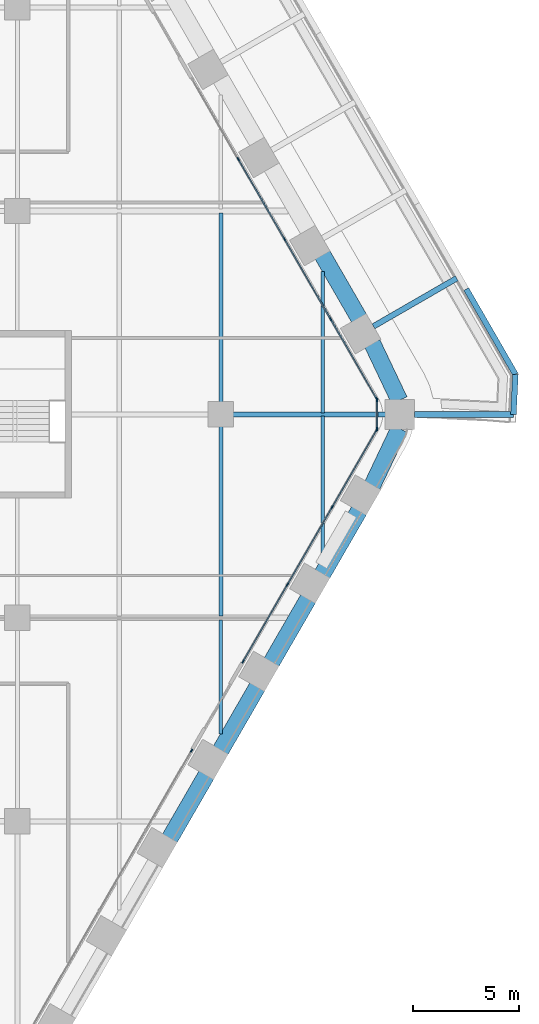
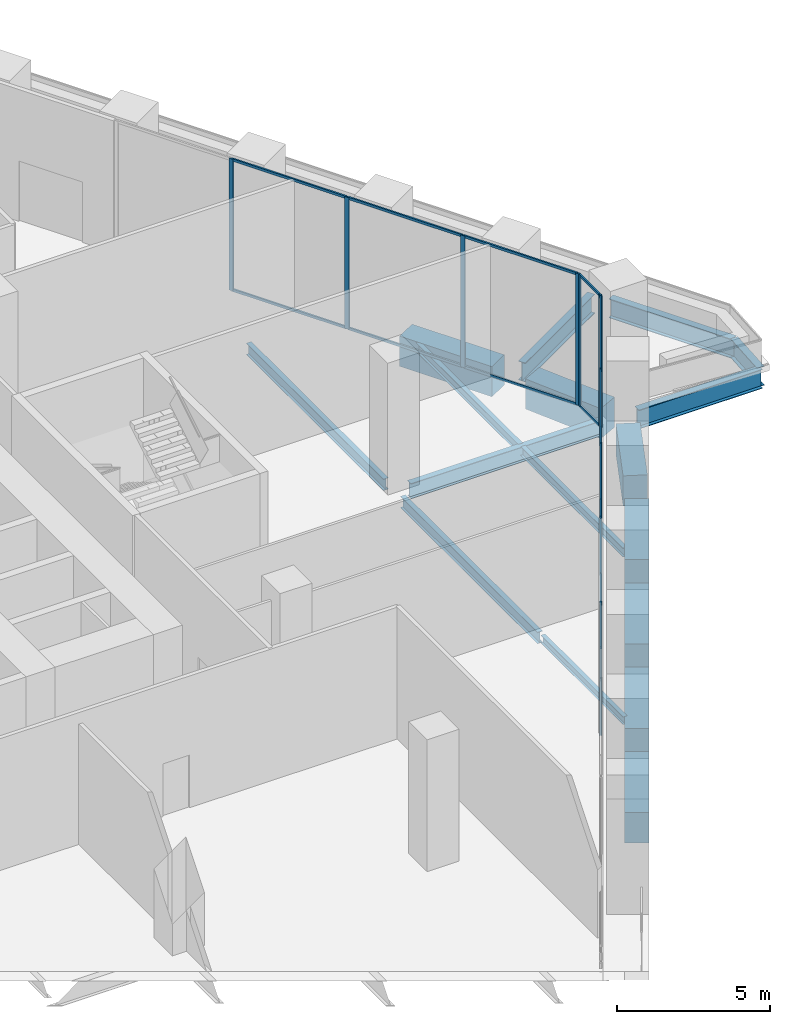
# One storey, part 12 of 30: 25 members, 17 beams, 4 elements without a shape of their own.
"""IFC4 building model written with IfcOpenShell, lengths in metres."""

from ifc_helpers import new_model, si_unit, direction, frame, origin, origin_2d, place, context, subcontext, project, spatial, rectangle, i_section, extrude, material, material_profile, profile_set, type_object, element, aggregate, save


model = new_model("IFC4")

# Units and contexts
model_context = context("Model", 3, precision=1e-05, world=origin(), true_north=direction((0.0, 1.0)))
body_context = subcontext(model_context, "Body", "Model", "MODEL_VIEW")
ifc_project = project(units=[si_unit("LENGTHUNIT", "METRE"), si_unit("AREAUNIT", "SQUARE_METRE"), si_unit("VOLUMEUNIT", "CUBIC_METRE"), si_unit("PLANEANGLEUNIT", "RADIAN"), si_unit("MASSUNIT", "GRAM", prefix="KILO")], contexts=[model_context])

# Site, building, storey
site_placement = place(None, origin())
site = spatial("IfcSite", under=ifc_project, at=site_placement, CompositionType="ELEMENT")
building_placement = place(site_placement, origin())
building = spatial("IfcBuilding", under=site, at=building_placement, Name="Kolab Exchange Tower", CompositionType="ELEMENT")
storey_placement = place(building_placement, frame((0.0, 0.0, 38.89990234375)))
storey = spatial("IfcBuildingStorey", under=building, at=storey_placement, Name="L07", CompositionType="ELEMENT", Elevation=38.89990234375)

# Beams
ifc_material_1 = material(Name="Steel S355", Category="steel")
ifc_material_profile_1 = material_profile(ifc_material_1, i_section(OverallWidth=0.1650390625, OverallDepth=0.31005859375, WebThickness=0.005859375, FlangeThickness=0.009765625, at=origin_2d()), Name="W310X39")
ifc_profile_set_1 = profile_set([ifc_material_profile_1], Name="Steel S355")
beam_type_1 = type_object("IfcBeamType", Name="FLOOR BEAM W310X39", PredefinedType="BEAM", material=ifc_profile_set_1)
beam_1_placement = place(storey_placement, frame((28.800048828125, -15.067626953125, -0.40478515625), z_axis=(0.0, 1.0, 0.0), x_axis=(-1.0, 0.0, 0.0)))
element("IfcBeam", 1, at=beam_1_placement, inside=storey, type_object=beam_type_1, Name="beam/L07/fr/058", PredefinedType="BEAM", context=body_context, shape_type="SweptSolid", body=[
    extrude(i_section(OverallWidth=0.1650390625, OverallDepth=0.31005859375, WebThickness=0.005859375, FlangeThickness=0.009765625, at=origin_2d()), origin(), (0.0, 0.0, 1.0), 5.3740234375),
])
ifc_material_profile_2 = material_profile(ifc_material_1, i_section(OverallWidth=0.1708984375, OverallDepth=0.35498046875, WebThickness=0.007080078125, FlangeThickness=0.01171875, at=origin_2d()), Name="W360X51")
ifc_profile_set_2 = profile_set([ifc_material_profile_2], Name="Steel S355")
beam_type_2 = type_object("IfcBeamType", Name="FLOOR BEAM W360X51", PredefinedType="BEAM", material=ifc_profile_set_2)
for number, where, z_axis, x_axis, name in (
    (2, (33.60009765625, -6.75390625, -0.427490234375), (0.0, 1.0, 0.0), (-1.0, 0.0, 0.0), "beam/L07/fr/062"),
    (3, (33.60009765625, 0.073974609375, -0.427490234375), (0.0, 1.0, 0.0), (-1.0, 0.0, 0.0), "beam/L07/fr/063"),
):
    element("IfcBeam", number, at=place(storey_placement, frame(where, z_axis=z_axis, x_axis=x_axis)), inside=storey, type_object=beam_type_2, Name=name, PredefinedType="BEAM", context=body_context, shape_type="SweptSolid", body=[
        extrude(i_section(OverallWidth=0.1708984375, OverallDepth=0.35498046875, WebThickness=0.007080078125, FlangeThickness=0.01171875, at=origin_2d()), origin(), (0.0, 0.0, 1.0), 6.679931640625),
    ])
ifc_material_profile_3 = material_profile(ifc_material_1, i_section(OverallWidth=0.18994140625, OverallDepth=0.45703125, WebThickness=0.009033203125, FlangeThickness=0.014404296875, at=origin_2d()), Name="W460X74")
ifc_profile_set_3 = profile_set([ifc_material_profile_3], Name="Steel S355")
beam_type_3 = type_object("IfcBeamType", Name="FLOOR BEAM W460X74", PredefinedType="BEAM", material=ifc_profile_set_3)
for number, where, z_axis, x_axis, name in (
    (4, (28.800048828125, -9.506591796875, -0.478515625), (0.0, 1.0, 0.0), (-1.0, 0.0, 0.0), "beam/L07/fr/059"),
    (5, (28.800048828125, 0.56005859375, -0.478515625), (0.0, 1.0, 0.0), (-1.0, 0.0, 0.0), "beam/L07/fr/060"),
):
    element("IfcBeam", number, at=place(storey_placement, frame(where, z_axis=z_axis, x_axis=x_axis)), inside=storey, type_object=beam_type_3, Name=name, PredefinedType="BEAM", context=body_context, shape_type="SweptSolid", body=[
        extrude(i_section(OverallWidth=0.18994140625, OverallDepth=0.45703125, WebThickness=0.009033203125, FlangeThickness=0.014404296875, at=origin_2d()), origin(), (0.0, 0.0, 1.0), 8.946533203125),
    ])
ifc_material_profile_4 = material_profile(ifc_material_1, i_section(OverallWidth=0.22802734375, OverallDepth=0.60791015625, WebThickness=0.01123046875, FlangeThickness=0.017333984375, at=origin_2d()), Name="W610X113")
ifc_profile_set_4 = profile_set([ifc_material_profile_4], Name="Steel S355")
beam_type_4 = type_object("IfcBeamType", Name="FLOOR GIRDER W610X113", PredefinedType="BEAM", material=ifc_profile_set_4)
beam_2_placement = place(storey_placement, frame((29.360107421875, 0.0, -0.553955078125), z_axis=(1.0, 0.0, 0.0), x_axis=(0.0, 1.0, 0.0)))
element("IfcBeam", 6, at=beam_2_placement, inside=storey, type_object=beam_type_4, Name="beam/L07/gd/025", PredefinedType="BEAM", context=body_context, shape_type="SweptSolid", body=[
    extrude(i_section(OverallWidth=0.22802734375, OverallDepth=0.60791015625, WebThickness=0.01123046875, FlangeThickness=0.017333984375, at=origin_2d()), origin(), (0.0, 0.0, 1.0), 7.2158203125),
])
ifc_material_profile_5 = material_profile(ifc_material_1, i_section(OverallWidth=0.26708984375, OverallDepth=0.761962890625, WebThickness=0.014404296875, FlangeThickness=0.021484375, at=origin_2d()), Name="W760X173")
ifc_profile_set_5 = profile_set([ifc_material_profile_5], Name="Steel S355")
beam_type_5 = type_object("IfcBeamType", Name="FLOOR GIRDER W760X173", PredefinedType="BEAM", material=ifc_profile_set_5)
beam_3_placement = place(storey_placement, frame((36.0, 4.156982421875, -0.69091796875), z_axis=(0.866043881399, 0.499967994467, 0.0), x_axis=(-0.499967994467, 0.866043881399, 0.0)))
element("IfcBeam", 7, at=beam_3_placement, inside=storey, type_object=beam_type_5, Name="beam/L07/ledge/rib-15", PredefinedType="BEAM", context=body_context, shape_type="SweptSolid", body=[
    extrude(i_section(OverallWidth=0.26708984375, OverallDepth=0.761962890625, WebThickness=0.014404296875, FlangeThickness=0.021484375, at=origin_2d()), origin(), (0.0, 0.0, 1.0), 4.532958984375),
])
beam_4_placement = place(storey_placement, frame((37.935791015625, 0.0, -0.69091796875), z_axis=(1.0, 0.0, 0.0), x_axis=(0.0, 1.0, 0.0)))
element("IfcBeam", 8, at=beam_4_placement, inside=storey, type_object=beam_type_5, Name="beam/L07/ledge/rib-16", PredefinedType="BEAM", context=body_context, shape_type="SweptSolid", body=[
    extrude(i_section(OverallWidth=0.26708984375, OverallDepth=0.761962890625, WebThickness=0.014404296875, FlangeThickness=0.021484375, at=origin_2d()), origin(), (0.0, 0.0, 1.0), 4.66650390625),
])
beam_5_placement = place(storey_placement, frame((40.37451171875, 5.9130859375, -0.69091796875), z_axis=(0.499993887256, -0.86602893295, 0.0), x_axis=(0.86602893295, 0.499993887256, 0.0)))
element("IfcBeam", 9, at=beam_5_placement, inside=storey, type_object=beam_type_5, Name="beam/L07/ledge/edge-18", PredefinedType="BEAM", context=body_context, shape_type="SweptSolid", body=[
    extrude(i_section(OverallWidth=0.26708984375, OverallDepth=0.761962890625, WebThickness=0.014404296875, FlangeThickness=0.021484375, at=origin_2d()), origin(), (0.0, 0.0, 1.0), 4.6455078125),
])
beam_6_placement = place(storey_placement, frame((42.697265625, 1.889892578125, -0.69091796875), z_axis=(-0.050059880205, -0.998746218213, 0.0), x_axis=(0.998746218213, -0.050059880205, 0.0)))
element("IfcBeam", 10, at=beam_6_placement, inside=storey, type_object=beam_type_5, Name="beam/L07/ledge/edge-19", PredefinedType="BEAM", context=body_context, shape_type="SweptSolid", body=[
    extrude(i_section(OverallWidth=0.26708984375, OverallDepth=0.761962890625, WebThickness=0.014404296875, FlangeThickness=0.021484375, at=origin_2d()), origin(), (0.0, 0.0, 1.0), 1.892333984375),
])
ifc_material_2 = material(Name="Concrete C80/95", Category="concrete")
ifc_material_profile_6 = material_profile(ifc_material_2, rectangle(XDim=0.800048828125, YDim=1.199951171875, at=origin_2d()), Name="RC800X1200")
ifc_profile_set_6 = profile_set([ifc_material_profile_6], Name="Concrete C80/95")
beam_type_6 = type_object("IfcBeamType", Name="SPANDREL BEAM 800X1200 C80/95", PredefinedType="BEAM", material=ifc_profile_set_6)
beam_7_placement = place(storey_placement, frame((33.58349609375, 7.542236328125, -0.849853515625), z_axis=(0.500009906705, -0.86601968407, 0.0), x_axis=(0.86601968407, 0.500009906705, 0.0)))
element("IfcBeam", 11, at=beam_7_placement, inside=storey, type_object=beam_type_6, Name="beam/L07/sp/F2-07", PredefinedType="BEAM", context=body_context, shape_type="SweptSolid", body=[
    extrude(rectangle(XDim=0.800048828125, YDim=1.199951171875, at=origin_2d()), origin(), (0.0, 0.0, 1.0), 3.47998046875),
])
for number, where, z_axis, x_axis, name in (
    (12, (35.93798828125, 3.35888671875, -0.849853515625), (0.429555669245, -0.903040379507, 0.0), (0.903040379507, 0.429555669245, 0.0), "beam/L07/sp/F2-08"),
    (13, (37.219970703125, -0.663818359375, -0.849853515625), (-0.429555669245, -0.903040379507, 0.0), (0.903040379507, -0.429555669245, 0.0), "beam/L07/sp/F3-01"),
):
    element("IfcBeam", number, at=place(storey_placement, frame(where, z_axis=z_axis, x_axis=x_axis)), inside=storey, type_object=beam_type_6, Name=name, PredefinedType="BEAM", context=body_context, shape_type="SweptSolid", body=[
        extrude(rectangle(XDim=0.800048828125, YDim=1.199951171875, at=origin_2d()), origin(), (0.0, 0.0, 1.0), 2.984375),
    ])
beam_8_placement = place(storey_placement, frame((35.323486328125, -4.528564453125, -0.849853515625), z_axis=(-0.500009906705, -0.86601968407, 0.0), x_axis=(0.86601968407, -0.500009906705, 0.0)))
element("IfcBeam", 14, at=beam_8_placement, inside=storey, type_object=beam_type_6, Name="beam/L07/sp/F3-02", PredefinedType="BEAM", context=body_context, shape_type="SweptSolid", body=[
    extrude(rectangle(XDim=0.800048828125, YDim=1.199951171875, at=origin_2d()), origin(), (0.0, 0.0, 1.0), 3.47998046875),
])
for number, where, z_axis, x_axis, name in (
    (15, (32.923583984375, -8.685302734375, -0.849853515625), (-0.499979528911, -0.866037222451, 0.0), (0.866037222451, -0.499979528911, 0.0), "beam/L07/sp/F3-03"),
    (16, (30.523681640625, -12.84228515625, -0.849853515625), (-0.499979528911, -0.866037222451, 0.0), (0.866037222451, -0.499979528911, 0.0), "beam/L07/sp/F3-04"),
):
    element("IfcBeam", number, at=place(storey_placement, frame(where, z_axis=z_axis, x_axis=x_axis)), inside=storey, type_object=beam_type_6, Name=name, PredefinedType="BEAM", context=body_context, shape_type="SweptSolid", body=[
        extrude(rectangle(XDim=0.800048828125, YDim=1.199951171875, at=origin_2d()), origin(), (0.0, 0.0, 1.0), 3.480224609375),
    ])
beam_9_placement = place(storey_placement, frame((28.12353515625, -16.999267578125, -0.849853515625), z_axis=(-0.500009906705, -0.86601968407, 0.0), x_axis=(0.86601968407, -0.500009906705, 0.0)))
element("IfcBeam", 17, at=beam_9_placement, inside=storey, type_object=beam_type_6, Name="beam/L07/sp/F3-05", PredefinedType="BEAM", context=body_context, shape_type="SweptSolid", body=[
    extrude(rectangle(XDim=0.800048828125, YDim=1.199951171875, at=origin_2d()), origin(), (0.0, 0.0, 1.0), 3.47998046875),
])

# Curtain wall, members
ifc_material_3 = material(Name="Aluminium EN AW-6063 T6", Category="aluminium")
curtain_wall_type = type_object("IfcCurtainWallType", Name="UNITISED LOW ZONE CURTAIN WALL", PredefinedType="NOTDEFINED", material=ifc_material_3)
curtain_wall_1_placement = place(storey_placement, origin())
curtain_wall_1 = element("IfcCurtainWall", 18, at=curtain_wall_1_placement, inside=storey, type_object=curtain_wall_type, Name="cw/L07/F2-2", PredefinedType="NOTDEFINED")
ifc_material_profile_7 = material_profile(ifc_material_3, rectangle(XDim=0.06005859375, YDim=0.159912109375, at=origin_2d()), Name="RECT 60X160")
ifc_profile_set_7 = profile_set([ifc_material_profile_7], Name="Aluminium EN AW-6063 T6")
member_type_1 = type_object("IfcMemberType", Name="UNITISED LOW ZONE MULLION 60 X 160", PredefinedType="MULLION", material=ifc_profile_set_7)
member_1_placement = place(storey_placement, frame((29.615234375, 12.0556640625, 0.0), z_axis=(0.0, 0.0, 1.0), x_axis=(0.866025422102, 0.499999968274, 0.0)))
member_1 = element("IfcMember", 19, at=member_1_placement, type_object=member_type_1, Name="CW1 mullion 2", PredefinedType="MULLION", context=body_context, shape_type="SweptSolid", body=[
    extrude(rectangle(XDim=0.06005859375, YDim=0.159912109375, at=origin_2d()), origin(), (0.0, 0.0, 1.0), 5.25),
])
member_2_placement = place(storey_placement, frame((31.798583984375, 8.27392578125, 0.0), z_axis=(0.0, 0.0, 1.0), x_axis=(0.866025422102, 0.499999968274, 0.0)))
member_2 = element("IfcMember", 20, at=member_2_placement, type_object=member_type_1, Name="CW1 mullion 3", PredefinedType="MULLION", context=body_context, shape_type="SweptSolid", body=[
    extrude(rectangle(XDim=0.06005859375, YDim=0.159912109375, at=origin_2d()), origin(), (0.0, 0.0, 1.0), 5.25),
])
member_3_placement = place(storey_placement, frame((33.982177734375, 4.491943359375, 0.0), z_axis=(0.0, 0.0, 1.0), x_axis=(0.866025422102, 0.499999968274, 0.0)))
member_3 = element("IfcMember", 21, at=member_3_placement, type_object=member_type_1, Name="CW1 mullion 4", PredefinedType="MULLION", context=body_context, shape_type="SweptSolid", body=[
    extrude(rectangle(XDim=0.06005859375, YDim=0.159912109375, at=origin_2d()), origin(), (0.0, 0.0, 1.0), 5.25),
])
member_4_placement = place(storey_placement, frame((36.150634765625, 0.736083984375, 0.0), z_axis=(0.0, 0.0, 1.0), x_axis=(0.866025422102, 0.499999968274, 0.0)))
member_4 = element("IfcMember", 22, at=member_4_placement, type_object=member_type_1, Name="CW1 mullion 5", PredefinedType="MULLION", context=body_context, shape_type="SweptSolid", body=[
    extrude(rectangle(XDim=0.06005859375, YDim=0.159912109375, at=origin_2d()), origin(), (0.0, 0.0, 1.0), 5.25),
])

curtain_wall_2_placement = place(storey_placement, origin())
curtain_wall_2 = element("IfcCurtainWall", 23, at=curtain_wall_2_placement, inside=storey, type_object=curtain_wall_type, Name="cw/L07/F3-1", PredefinedType="NOTDEFINED")
member_5_placement = place(storey_placement, frame((36.150634765625, -0.736083984375, 0.0), z_axis=(0.0, 0.0, 1.0), x_axis=(0.866025427826, -0.499999958358, 0.0)))
member_5 = element("IfcMember", 24, at=member_5_placement, type_object=member_type_1, Name="CW1 mullion 1", PredefinedType="MULLION", context=body_context, shape_type="SweptSolid", body=[
    extrude(rectangle(XDim=0.06005859375, YDim=0.159912109375, at=origin_2d()), origin(), (0.0, 0.0, 1.0), 5.25),
])
member_6_placement = place(storey_placement, frame((34.054443359375, -4.366943359375, 0.0), z_axis=(0.0, 0.0, 1.0), x_axis=(0.866025427826, -0.499999958358, 0.0)))
member_6 = element("IfcMember", 25, at=member_6_placement, type_object=member_type_1, Name="CW1 mullion 2", PredefinedType="MULLION", context=body_context, shape_type="SweptSolid", body=[
    extrude(rectangle(XDim=0.06005859375, YDim=0.159912109375, at=origin_2d()), origin(), (0.0, 0.0, 1.0), 5.25),
])
member_7_placement = place(storey_placement, frame((31.943115234375, -8.02392578125, 0.0), z_axis=(0.0, 0.0, 1.0), x_axis=(0.866025427826, -0.499999958358, 0.0)))
member_7 = element("IfcMember", 26, at=member_7_placement, type_object=member_type_1, Name="CW1 mullion 3", PredefinedType="MULLION", context=body_context, shape_type="SweptSolid", body=[
    extrude(rectangle(XDim=0.06005859375, YDim=0.159912109375, at=origin_2d()), origin(), (0.0, 0.0, 1.0), 5.25),
])
member_8_placement = place(storey_placement, frame((29.8466796875, -11.65478515625, 0.0), z_axis=(0.0, 0.0, 1.0), x_axis=(0.866025427826, -0.499999958358, 0.0)))
member_8 = element("IfcMember", 27, at=member_8_placement, type_object=member_type_1, Name="CW1 mullion 4", PredefinedType="MULLION", context=body_context, shape_type="SweptSolid", body=[
    extrude(rectangle(XDim=0.06005859375, YDim=0.159912109375, at=origin_2d()), origin(), (0.0, 0.0, 1.0), 5.25),
])

# Curtain wall, member
curtain_wall_3_placement = place(storey_placement, origin())
curtain_wall_3 = element("IfcCurtainWall", 28, at=curtain_wall_3_placement, inside=storey, type_object=curtain_wall_type, Name="cw/L07/F3-2", PredefinedType="NOTDEFINED")
member_9_placement = place(storey_placement, frame((27.416748046875, -15.86376953125, 0.0), z_axis=(0.0, 0.0, 1.0), x_axis=(0.866025397318, -0.5000000112, 0.0)))
member_9 = element("IfcMember", 29, at=member_9_placement, type_object=member_type_1, Name="CW1 mullion 1", PredefinedType="MULLION", context=body_context, shape_type="SweptSolid", body=[
    extrude(rectangle(XDim=0.06005859375, YDim=0.159912109375, at=origin_2d()), origin(), (0.0, 0.0, 1.0), 5.25),
])
aggregate(curtain_wall_3, [member_9])

# Curtain wall, members
curtain_wall_4_placement = place(storey_placement, origin())
curtain_wall_4 = element("IfcCurtainWall", 30, at=curtain_wall_4_placement, inside=storey, type_object=curtain_wall_type, Name="cw/L07/F2F3-corner", PredefinedType="NOTDEFINED")
member_10_placement = place(storey_placement, frame((36.165771484375, 0.679931640625, 0.0), z_axis=(0.0, 0.0, 1.0), x_axis=(1.0, 0.0, 0.0)))
member_10 = element("IfcMember", 31, at=member_10_placement, type_object=member_type_1, Name="CW1 mullion 1", PredefinedType="MULLION", context=body_context, shape_type="SweptSolid", body=[
    extrude(rectangle(XDim=0.06005859375, YDim=0.159912109375, at=origin_2d()), origin(), (0.0, 0.0, 1.0), 5.25),
])
member_11_placement = place(storey_placement, frame((36.165771484375, -0.679931640625, 0.0), z_axis=(0.0, 0.0, 1.0), x_axis=(1.0, 0.0, 0.0)))
member_11 = element("IfcMember", 32, at=member_11_placement, type_object=member_type_1, Name="CW1 mullion 2", PredefinedType="MULLION", context=body_context, shape_type="SweptSolid", body=[
    extrude(rectangle(XDim=0.06005859375, YDim=0.159912109375, at=origin_2d()), origin(), (0.0, 0.0, 1.0), 5.25),
])

# Member
ifc_material_profile_8 = material_profile(ifc_material_3, rectangle(XDim=0.06005859375, YDim=0.10009765625, at=origin_2d()), Name="RECT 60X100")
ifc_profile_set_8 = profile_set([ifc_material_profile_8], Name="Aluminium EN AW-6063 T6")
member_type_2 = type_object("IfcMemberType", Name="UNITISED LOW ZONE TRANSOM 60 X 100", PredefinedType="USERDEFINED", material=ifc_profile_set_8)
member_12_placement = place(storey_placement, frame((29.630126953125, 12.02978515625, 0.030029296875), z_axis=(0.500010313095, -0.866019449435, 0.0), x_axis=(0.866019449435, 0.500010313095, 0.0)))
member_12 = element("IfcMember", 33, at=member_12_placement, type_object=member_type_2, Name="CW1 transom 2.1", ObjectType="TRANSOM", PredefinedType="USERDEFINED", context=body_context, shape_type="SweptSolid", body=[
    extrude(rectangle(XDim=0.06005859375, YDim=0.10009765625, at=origin_2d()), origin(), (0.0, 0.0, 1.0), 4.30712890625),
])

member_13_placement = place(storey_placement, frame((29.630126953125, 12.02978515625, 5.22021484375), z_axis=(0.500010313095, -0.866019449435, 0.0), x_axis=(0.866019449435, 0.500010313095, 0.0)))
member_13 = element("IfcMember", 34, at=member_13_placement, type_object=member_type_2, Name="CW1 transom 2.2", ObjectType="TRANSOM", PredefinedType="USERDEFINED", context=body_context, shape_type="SweptSolid", body=[
    extrude(rectangle(XDim=0.06005859375, YDim=0.10009765625, at=origin_2d()), origin(), (0.0, 0.0, 1.0), 4.30712890625),
])

member_14_placement = place(storey_placement, frame((31.813720703125, 8.247802734375, 0.030029296875), z_axis=(0.499967798808, -0.866043994353, 0.0), x_axis=(0.866043994353, 0.499967798808, 0.0)))
member_14 = element("IfcMember", 35, at=member_14_placement, type_object=member_type_2, Name="CW1 transom 3.1", ObjectType="TRANSOM", PredefinedType="USERDEFINED", context=body_context, shape_type="SweptSolid", body=[
    extrude(rectangle(XDim=0.06005859375, YDim=0.10009765625, at=origin_2d()), origin(), (0.0, 0.0, 1.0), 4.306884765625),
])

member_15_placement = place(storey_placement, frame((31.813720703125, 8.247802734375, 5.22021484375), z_axis=(0.499967798808, -0.866043994353, 0.0), x_axis=(0.866043994353, 0.499967798808, 0.0)))
member_15 = element("IfcMember", 36, at=member_15_placement, type_object=member_type_2, Name="CW1 transom 3.2", ObjectType="TRANSOM", PredefinedType="USERDEFINED", context=body_context, shape_type="SweptSolid", body=[
    extrude(rectangle(XDim=0.06005859375, YDim=0.10009765625, at=origin_2d()), origin(), (0.0, 0.0, 1.0), 4.306884765625),
])

member_16_placement = place(storey_placement, frame((33.9970703125, 4.4658203125, 0.030029296875), z_axis=(0.500043627578, -0.866000213925, 0.0), x_axis=(0.866000213925, 0.500043627578, 0.0)))
member_16 = element("IfcMember", 37, at=member_16_placement, type_object=member_type_2, Name="CW1 transom 4.1", ObjectType="TRANSOM", PredefinedType="USERDEFINED", context=body_context, shape_type="SweptSolid", body=[
    extrude(rectangle(XDim=0.06005859375, YDim=0.10009765625, at=origin_2d()), origin(), (0.0, 0.0, 1.0), 4.27685546875),
])

member_17_placement = place(storey_placement, frame((33.9970703125, 4.4658203125, 5.22021484375), z_axis=(0.500043627578, -0.866000213925, 0.0), x_axis=(0.866000213925, 0.500043627578, 0.0)))
member_17 = element("IfcMember", 38, at=member_17_placement, type_object=member_type_2, Name="CW1 transom 4.2", ObjectType="TRANSOM", PredefinedType="USERDEFINED", context=body_context, shape_type="SweptSolid", body=[
    extrude(rectangle(XDim=0.06005859375, YDim=0.10009765625, at=origin_2d()), origin(), (0.0, 0.0, 1.0), 4.27685546875),
])

aggregate(curtain_wall_1, [member_1, member_2, member_3, member_4, member_12, member_13, member_14, member_15, member_16, member_17])

member_18_placement = place(storey_placement, frame((36.1357421875, -0.761962890625, 0.030029296875), z_axis=(-0.500027577057, -0.866009481578, 0.0), x_axis=(0.866009481578, -0.500027577057, 0.0)))
member_18 = element("IfcMember", 39, at=member_18_placement, type_object=member_type_2, Name="CW1 transom 1.1", ObjectType="TRANSOM", PredefinedType="USERDEFINED", context=body_context, shape_type="SweptSolid", body=[
    extrude(rectangle(XDim=0.06005859375, YDim=0.10009765625, at=origin_2d()), origin(), (0.0, 0.0, 1.0), 4.132568359375),
])

member_19_placement = place(storey_placement, frame((36.1357421875, -0.761962890625, 5.22021484375), z_axis=(-0.500027577057, -0.866009481578, 0.0), x_axis=(0.866009481578, -0.500027577057, 0.0)))
member_19 = element("IfcMember", 40, at=member_19_placement, type_object=member_type_2, Name="CW1 transom 1.2", ObjectType="TRANSOM", PredefinedType="USERDEFINED", context=body_context, shape_type="SweptSolid", body=[
    extrude(rectangle(XDim=0.06005859375, YDim=0.10009765625, at=origin_2d()), origin(), (0.0, 0.0, 1.0), 4.132568359375),
])

member_20_placement = place(storey_placement, frame((34.039306640625, -4.392822265625, 0.030029296875), z_axis=(-0.49999322259, -0.866029316688, 0.0), x_axis=(0.866029316688, -0.49999322259, 0.0)))
member_20 = element("IfcMember", 41, at=member_20_placement, type_object=member_type_2, Name="CW1 transom 2.1", ObjectType="TRANSOM", PredefinedType="USERDEFINED", context=body_context, shape_type="SweptSolid", body=[
    extrude(rectangle(XDim=0.06005859375, YDim=0.10009765625, at=origin_2d()), origin(), (0.0, 0.0, 1.0), 4.16259765625),
])

member_21_placement = place(storey_placement, frame((34.039306640625, -4.392822265625, 5.22021484375), z_axis=(-0.49999322259, -0.866029316688, 0.0), x_axis=(0.866029316688, -0.49999322259, 0.0)))
member_21 = element("IfcMember", 42, at=member_21_placement, type_object=member_type_2, Name="CW1 transom 2.2", ObjectType="TRANSOM", PredefinedType="USERDEFINED", context=body_context, shape_type="SweptSolid", body=[
    extrude(rectangle(XDim=0.06005859375, YDim=0.10009765625, at=origin_2d()), origin(), (0.0, 0.0, 1.0), 4.16259765625),
])

member_22_placement = place(storey_placement, frame((31.927978515625, -8.0498046875, 0.030029296875), z_axis=(-0.500001996123, -0.866024251319, 0.0), x_axis=(0.866024251319, -0.500001996123, 0.0)))
member_22 = element("IfcMember", 43, at=member_22_placement, type_object=member_type_2, Name="CW1 transom 3.1", ObjectType="TRANSOM", PredefinedType="USERDEFINED", context=body_context, shape_type="SweptSolid", body=[
    extrude(rectangle(XDim=0.06005859375, YDim=0.10009765625, at=origin_2d()), origin(), (0.0, 0.0, 1.0), 4.1328125),
])

member_23_placement = place(storey_placement, frame((31.927978515625, -8.0498046875, 5.22021484375), z_axis=(-0.500001996123, -0.866024251319, 0.0), x_axis=(0.866024251319, -0.500001996123, 0.0)))
member_23 = element("IfcMember", 44, at=member_23_placement, type_object=member_type_2, Name="CW1 transom 3.2", ObjectType="TRANSOM", PredefinedType="USERDEFINED", context=body_context, shape_type="SweptSolid", body=[
    extrude(rectangle(XDim=0.06005859375, YDim=0.10009765625, at=origin_2d()), origin(), (0.0, 0.0, 1.0), 4.1328125),
])

aggregate(curtain_wall_2, [member_5, member_6, member_7, member_8, member_18, member_19, member_20, member_21, member_22, member_23])

member_24_placement = place(storey_placement, frame((36.165771484375, 0.64990234375, 0.030029296875), z_axis=(0.0, -1.0, 0.0), x_axis=(1.0, 0.0, 0.0)))
member_24 = element("IfcMember", 45, at=member_24_placement, type_object=member_type_2, Name="CW1 transom 1.1", ObjectType="TRANSOM", PredefinedType="USERDEFINED", context=body_context, shape_type="SweptSolid", body=[
    extrude(rectangle(XDim=0.06005859375, YDim=0.10009765625, at=origin_2d()), origin(), (0.0, 0.0, 1.0), 1.2998046875),
])

member_25_placement = place(storey_placement, frame((36.165771484375, 0.64990234375, 5.22021484375), z_axis=(0.0, -1.0, 0.0), x_axis=(1.0, 0.0, 0.0)))
member_25 = element("IfcMember", 46, at=member_25_placement, type_object=member_type_2, Name="CW1 transom 1.2", ObjectType="TRANSOM", PredefinedType="USERDEFINED", context=body_context, shape_type="SweptSolid", body=[
    extrude(rectangle(XDim=0.06005859375, YDim=0.10009765625, at=origin_2d()), origin(), (0.0, 0.0, 1.0), 1.2998046875),
])

aggregate(curtain_wall_4, [member_10, member_11, member_24, member_25])

save(model, "model.ifc")
